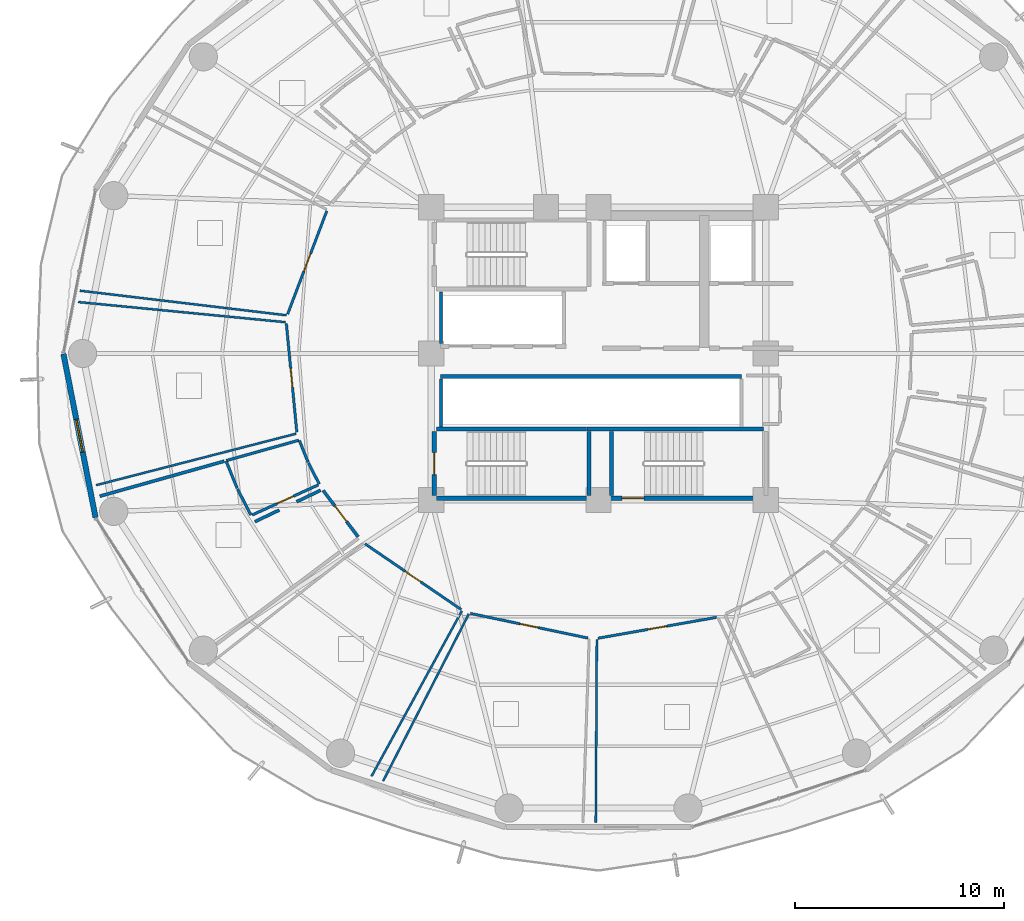
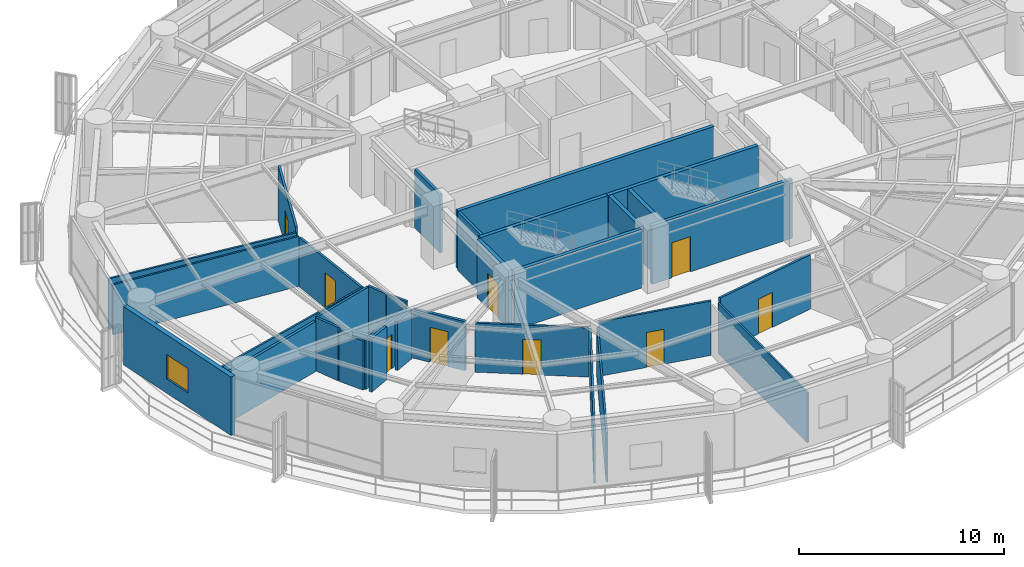
# One storey, part 29 of 38: 32 walls, 9 doors, 1 window, 10 openings.
"""IFC4 building model written with IfcOpenShell, lengths in metres."""

from ifc_helpers import new_model, si_unit, direction, frame, frame_2d, origin, place, context, subcontext, project, spatial, rectangle, extrude, material, layer, layer_set, type_object, element, fill, save


model = new_model("IFC4")

# Units and contexts
model_context = context("Model", 3, precision=1e-05, world=origin(), true_north=direction((0.0, 1.0)))
body_context = subcontext(model_context, "Body", "Model", "MODEL_VIEW")
ifc_project = project(units=[si_unit("LENGTHUNIT", "METRE"), si_unit("AREAUNIT", "SQUARE_METRE"), si_unit("VOLUMEUNIT", "CUBIC_METRE"), si_unit("PLANEANGLEUNIT", "RADIAN"), si_unit("MASSUNIT", "GRAM", prefix="KILO")], contexts=[model_context])

# Site, building, storey
site_placement = place(None, origin())
site = spatial("IfcSite", under=ifc_project, at=site_placement, CompositionType="ELEMENT")
building_placement = place(site_placement, origin())
building = spatial("IfcBuilding", under=site, at=building_placement, Name="Kelanora Arch Commons", CompositionType="ELEMENT")
storey_placement = place(building_placement, frame((0.0, 0.0, 106.35009765625)))
storey = spatial("IfcBuildingStorey", under=building, at=storey_placement, Name="L27", CompositionType="ELEMENT", Elevation=106.35009765625)

# Walls
ifc_material_1 = material(Name="Autoclaved aerated concrete blockwork with fire plaster", Category="masonry")
ifc_layer_1 = layer(ifc_material_1, 0.14990234375)
ifc_layer_set_1 = layer_set([ifc_layer_1], Name="Autoclaved aerated concrete blockwork with fire plaster")
wall_type_1 = type_object("IfcWallType", Name="W-COMP-150", PredefinedType="PARTITIONING", material=ifc_layer_set_1)
wall_1_placement = place(storey_placement, frame((66.4599609375, 58.47998046875, 0.0), z_axis=(0.0, 0.0, 1.0), x_axis=(0.0, 1.0, 0.0)))
element("IfcWall", 1, at=wall_1_placement, inside=storey, type_object=wall_type_1, Name="Low-Rise Lift Bank West Wall L27", PredefinedType="PARTITIONING", context=body_context, shape_type="SweptSolid", body=[
    extrude(rectangle(XDim=2.4599609375, YDim=0.14990234375, at=frame_2d((1.22998046875, 0.0))), origin(), (0.0, 0.0, 1.0), 3.47998046875),
])
wall_2_placement = place(storey_placement, frame((66.4599609375, 54.47998046875, 0.0), z_axis=(0.0, 0.0, 1.0), x_axis=(0.0, 1.0, 0.0)))
element("IfcWall", 2, at=wall_2_placement, inside=storey, type_object=wall_type_1, Name="South Lift Bank West Wall L27", PredefinedType="PARTITIONING", context=body_context, shape_type="SweptSolid", body=[
    extrude(rectangle(XDim=2.2900390625, YDim=0.14990234375, at=frame_2d((1.14501953125, 0.0))), origin(), (0.0, 0.0, 1.0), 3.47998046875),
])

# Wall, opening, door
wall_3_placement = place(storey_placement, frame((60.8271484375, 51.4501953125, 0.0), z_axis=(0.0, 0.0, 1.0), x_axis=(0.602330864847, -0.798246534131, 0.0)))
wall_3 = element("IfcWall", 3, at=wall_3_placement, inside=storey, type_object=wall_type_1, Name="Co-Living Studio L27-09 Entry Partition", PredefinedType="PARTITIONING", context=body_context, shape_type="SweptSolid", body=[
    extrude(rectangle(XDim=2.77880859375, YDim=0.14990234375, at=frame_2d((1.389404296875, 0.0))), origin(), (0.0, 0.0, 1.0), 2.9248046875),
])
opening_1_placement = place(wall_3_placement, frame((0.9140625, 0.0, 0.0)))
opening_1 = element("IfcOpeningElement", 4, at=opening_1_placement, cuts=wall_3, Name="Opening D-CLU1", PredefinedType="OPENING", context=body_context, shape_type="SweptSolid", body=[
    extrude(rectangle(XDim=0.949951171875, YDim=2.080078125, at=frame_2d((0.47509765625, 1.0400390625))), frame((0.0, 0.0849609375, 0.0), z_axis=(0.0, -1.0, 0.0), x_axis=(1.0, 0.0, 0.0)), (0.0, 0.0, 1.0), 0.169921875),
])
ifc_material_2 = material(Name="Solid-core acoustic timber cluster entry fire door", Category="wood")
door_type_1 = type_object("IfcDoorType", Name="D-CLU-95", OperationType="NOTDEFINED", PredefinedType="DOOR", material=ifc_material_2)
door_1_placement = place(opening_1_placement, origin())
door_1 = element("IfcDoor", 5, at=door_1_placement, inside=storey, type_object=door_type_1, Name="Co-Living Studio L27-09 Door", OperationType="SINGLE_SWING_RIGHT", OverallHeight=2.080078125, OverallWidth=0.949951171875, PredefinedType="DOOR", context=body_context, shape_type="SweptSolid", body=[
    extrude(rectangle(XDim=0.949951171875, YDim=2.080078125, at=frame_2d((0.47509765625, 1.0400390625))), frame((0.0, 0.02490234375, 0.0), z_axis=(0.0, -1.0, 0.0), x_axis=(1.0, 0.0, 0.0)), (0.0, 0.0, 1.0), 0.050048828125),
])
fill(opening_1, door_1)

# Walls
wall_4_placement = place(storey_placement, frame((50.1455078125, 51.17578125, 0.0), z_axis=(0.0, 0.0, 1.0), x_axis=(0.962685643461, 0.270622157028, 0.0)))
element("IfcWall", 6, at=wall_4_placement, inside=storey, type_object=wall_type_1, Name="Co-Living Studio L27-09 Enclosure Partition 5", PredefinedType="PARTITIONING", context=body_context, shape_type="SweptSolid", body=[
    extrude(rectangle(XDim=6.18701171875, YDim=0.14990234375, at=frame_2d((3.093505859375, 0.0))), origin(), (0.0, 0.0, 1.0), 2.974853515625),
])
wall_5_placement = place(storey_placement, frame((57.55908203125, 49.953125, 0.0), z_axis=(0.0, 0.0, 1.0), x_axis=(0.902185129063, 0.431349038364, 0.0)))
element("IfcWall", 7, at=wall_5_placement, inside=storey, type_object=wall_type_1, Name="Co-Living Studio L27-09 Enclosure Partition 7", PredefinedType="PARTITIONING", context=body_context, shape_type="SweptSolid", body=[
    extrude(rectangle(XDim=1.29833984375, YDim=0.14990234375, at=frame_2d((0.649169921875, 0.0))), origin(), (0.0, 0.0, 1.0), 3.1748046875),
])
wall_6_placement = place(storey_placement, frame((59.560546875, 50.909912109375, 0.0), z_axis=(0.0, 0.0, 1.0), x_axis=(0.902228812368, 0.431257660955, 0.0)))
element("IfcWall", 8, at=wall_6_placement, inside=storey, type_object=wall_type_1, Name="Co-Living Studio L27-09 Enclosure Partition 7", PredefinedType="PARTITIONING", context=body_context, shape_type="SweptSolid", body=[
    extrude(rectangle(XDim=1.266357421875, YDim=0.14990234375, at=frame_2d((0.63330078125, 0.0))), origin(), (0.0, 0.0, 1.0), 2.9248046875),
])

# Wall, opening, window
ifc_material_3 = material(Name="Precast concrete C40/50 with terracotta rainscreen", Category="masonry")
ifc_layer_2 = layer(ifc_material_3, 0.260009765625)
ifc_layer_set_2 = layer_set([ifc_layer_2], Name="Precast concrete C40/50 with terracotta rainscreen")
wall_type_2 = type_object("IfcWallType", Name="W-EXT-TC", PredefinedType="SOLIDWALL", material=ifc_layer_set_2)
wall_7_placement = place(storey_placement, frame((48.40283203125, 57.9853515625, 0.0), z_axis=(0.0, 0.0, 1.0), x_axis=(0.192581843632, -0.981280914674, 0.0)))
wall_7 = element("IfcWall", 9, at=wall_7_placement, inside=storey, type_object=wall_type_2, Name="Terracotta Exterior Wall L27-B09", PredefinedType="SOLIDWALL", context=body_context, shape_type="SweptSolid", body=[
    extrude(rectangle(XDim=7.986572265625, YDim=0.260009765625, at=frame_2d((3.9931640625, 0.0))), origin(), (0.0, 0.0, 1.0), 3.474853515625),
])
opening_2_placement = place(wall_7_placement, frame((3.193115234375, 0.0, 0.85009765625)))
opening_2 = element("IfcOpeningElement", 10, at=opening_2_placement, cuts=wall_7, Name="Opening WN-01", PredefinedType="OPENING", context=body_context, shape_type="SweptSolid", body=[
    extrude(rectangle(XDim=1.60009765625, YDim=1.449951171875, at=frame_2d((0.800048828125, 0.72509765625))), frame((0.0, 0.14013671875, 0.0), z_axis=(0.0, -1.0, 0.0), x_axis=(1.0, 0.0, 0.0)), (0.0, 0.0, 1.0), 0.280029296875),
])
ifc_material_4 = material(Name="Terracotta-anodised aluminium frame with operable low-E glazing", Category="masonry")
window_type = type_object("IfcWindowType", Name="WIN-CL-18", PartitioningType="DOUBLE_PANEL_VERTICAL", PredefinedType="WINDOW", material=ifc_material_4)
window_placement = place(opening_2_placement, origin())
window = element("IfcWindow", 11, at=window_placement, inside=storey, type_object=window_type, Name="Co-Living Operable Window L27-B09", OverallHeight=1.449951171875, OverallWidth=1.60009765625, PartitioningType="SINGLE_PANEL", PredefinedType="WINDOW", context=body_context, shape_type="SweptSolid", body=[
    extrude(rectangle(XDim=1.60009765625, YDim=1.449951171875, at=frame_2d((0.800048828125, 0.72509765625))), frame((0.0, 0.030029296875, 0.0), z_axis=(0.0, -1.0, 0.0), x_axis=(1.0, 0.0, 0.0)), (0.0, 0.0, 1.0), 0.06005859375),
])
fill(opening_2, window)

# Walls
ifc_material_5 = material(Name="Concrete C40/50", Category="concrete")
ifc_layer_3 = layer(ifc_material_5, 0.199951171875)
ifc_layer_set_3 = layer_set([ifc_layer_3], Name="Concrete C40/50")
wall_type_3 = type_object("IfcWallType", Name="W-FFL-200", PredefinedType="SOLIDWALL", material=ifc_layer_set_3)
wall_8_placement = place(storey_placement, frame((66.449951171875, 56.89990234375, 0.0), z_axis=(0.0, 0.0, 1.0), x_axis=(1.0, 0.0, 0.0)))
element("IfcWall", 12, at=wall_8_placement, inside=storey, type_object=wall_type_3, Name="Mid/High/Express Lift Shaft Front L27", PredefinedType="SOLIDWALL", context=body_context, shape_type="SweptSolid", body=[
    extrude(rectangle(XDim=14.400146484375, YDim=0.199951171875, at=frame_2d((7.2001953125, 0.0))), origin(), (0.0, 0.0, 1.0), 3.47998046875),
])
ifc_material_6 = material(Name="Lightweight fire-rated acoustic stud partition")
ifc_layer_4 = layer(ifc_material_6, 0.10009765625)
ifc_layer_set_4 = layer_set([ifc_layer_4], Name="Lightweight fire-rated acoustic stud partition")
wall_type_4 = type_object("IfcWallType", Name="W-PART-100", PredefinedType="PARTITIONING", material=ifc_layer_set_4)
wall_9_placement = place(storey_placement, frame((59.06640625, 59.830810546875, 0.0), z_axis=(0.0, 0.0, 1.0), x_axis=(-0.99298532521, 0.118237658624, 0.0)))
element("IfcWall", 13, at=wall_9_placement, inside=storey, type_object=wall_type_4, Name="Social Sky Lounge L27-07 Enclosure Partition 2", PredefinedType="PARTITIONING", context=body_context, shape_type="SweptSolid", body=[
    extrude(rectangle(XDim=9.950439453125, YDim=0.10009765625, at=frame_2d((4.97509765625, 0.0))), origin(), (0.0, 0.0, 1.0), 2.974853515625),
])
wall_10_placement = place(storey_placement, frame((59.535400390625, 54.1650390625, 0.0), z_axis=(0.0, 0.0, 1.0), x_axis=(-0.968404670054, -0.249384031201, 0.0)))
element("IfcWall", 14, at=wall_10_placement, inside=storey, type_object=wall_type_4, Name="Quiet Seminar Study Room L27-08 Enclosure Partition 2", PredefinedType="PARTITIONING", context=body_context, shape_type="SweptSolid", body=[
    extrude(rectangle(XDim=9.880859375, YDim=0.10009765625, at=frame_2d((4.9404296875, 0.0))), origin(), (0.0, 0.0, 1.0), 2.974853515625),
])
wall_11_placement = place(storey_placement, frame((49.11083984375, 60.463134765625, 0.0), z_axis=(0.0, 0.0, 1.0), x_axis=(0.995310801703, -0.096728527399, 0.0)))
element("IfcWall", 15, at=wall_11_placement, inside=storey, type_object=wall_type_4, Name="Quiet Seminar Study Room L27-08 Enclosure Partition 4", PredefinedType="PARTITIONING", context=body_context, shape_type="SweptSolid", body=[
    extrude(rectangle(XDim=9.95703125, YDim=0.10009765625, at=frame_2d((4.978515625, 0.0))), origin(), (0.0, 0.0, 1.0), 2.974853515625),
])
wall_12_placement = place(storey_placement, frame((67.462890625, 45.682861328125, 0.0), z_axis=(0.0, 0.0, 1.0), x_axis=(-0.479571724153, -0.87750268455, 0.0)))
element("IfcWall", 16, at=wall_12_placement, inside=storey, type_object=wall_type_4, Name="Communal Dining and Social Hall L27-10 Enclosure Partition 2", PredefinedType="PARTITIONING", context=body_context, shape_type="SweptSolid", body=[
    extrude(rectangle(XDim=9.007080078125, YDim=0.10009765625, at=frame_2d((4.50341796875, 0.0))), origin(), (0.0, 0.0, 1.0), 2.9248046875),
])
wall_13_placement = place(storey_placement, frame((63.697265625, 37.547607421875, 0.0), z_axis=(0.0, 0.0, 1.0), x_axis=(0.456266444918, 0.889843205987, 0.0)))
element("IfcWall", 17, at=wall_13_placement, inside=storey, type_object=wall_type_4, Name="Quiet Seminar Study Room L27-11 Enclosure Partition 4", PredefinedType="PARTITIONING", context=body_context, shape_type="SweptSolid", body=[
    extrude(rectangle(XDim=8.984619140625, YDim=0.10009765625, at=frame_2d((4.4921875, 0.0))), origin(), (0.0, 0.0, 1.0), 2.9248046875),
])
wall_14_placement = place(storey_placement, frame((73.869140625, 35.56005859375, 0.0), z_axis=(0.0, 0.0, 1.0), x_axis=(0.005901573079, 0.999982585566, 0.0)))
element("IfcWall", 18, at=wall_14_placement, inside=storey, type_object=wall_type_4, Name="Quiet Seminar Study Room L27-12 Enclosure Partition 4", PredefinedType="PARTITIONING", context=body_context, shape_type="SweptSolid", body=[
    extrude(rectangle(XDim=8.770263671875, YDim=0.10009765625, at=frame_2d((4.38525390625, 0.0))), origin(), (0.0, 0.0, 1.0), 2.974853515625),
])

# Wall, opening, door
ifc_material_7 = material(Name="Acoustic twin-stud fire-rated gypsum partition")
ifc_layer_5 = layer(ifc_material_7, 0.1201171875)
ifc_layer_set_5 = layer_set([ifc_layer_5], Name="Acoustic twin-stud fire-rated gypsum partition")
wall_type_5 = type_object("IfcWallType", Name="W-PART-120", PredefinedType="PARTITIONING", material=ifc_layer_set_5)
wall_15_placement = place(storey_placement, frame((61.001708984375, 64.82080078125, 0.0), z_axis=(0.0, 0.0, 1.0), x_axis=(-0.354853458438, -0.934921934193, 0.0)))
wall_15 = element("IfcWall", 19, at=wall_15_placement, inside=storey, type_object=wall_type_5, Name="Social Sky Lounge L27-07 Entry Partition", PredefinedType="PARTITIONING", context=body_context, shape_type="SweptSolid", body=[
    extrude(rectangle(XDim=5.282470703125, YDim=0.1201171875, at=frame_2d((2.64111328125, 0.0))), origin(), (0.0, 0.0, 1.0), 3.23486328125),
])
opening_3_placement = place(wall_15_placement, frame((2.19091796875, 0.0, 0.0)))
opening_3 = element("IfcOpeningElement", 20, at=opening_3_placement, cuts=wall_15, Name="Opening D-RM1", PredefinedType="OPENING", context=body_context, shape_type="SweptSolid", body=[
    extrude(rectangle(XDim=0.89990234375, YDim=2.080078125, at=frame_2d((0.449951171875, 1.0400390625))), frame((0.0, 0.070068359375, 0.0), z_axis=(0.0, -1.0, 0.0), x_axis=(1.0, 0.0, 0.0)), (0.0, 0.0, 1.0), 0.14013671875),
])
ifc_material_8 = material(Name="Acoustic fire-rated timber study and lounge door", Category="wood")
door_type_2 = type_object("IfcDoorType", Name="D-ROOM-90", OperationType="NOTDEFINED", PredefinedType="DOOR", material=ifc_material_8)
door_2_placement = place(opening_3_placement, origin())
door_2 = element("IfcDoor", 21, at=door_2_placement, inside=storey, type_object=door_type_2, Name="Social Sky Lounge L27-07 Door", OperationType="SINGLE_SWING_LEFT", OverallHeight=2.080078125, OverallWidth=0.89990234375, PredefinedType="DOOR", context=body_context, shape_type="SweptSolid", body=[
    extrude(rectangle(XDim=0.89990234375, YDim=2.080078125, at=frame_2d((0.449951171875, 1.0400390625))), frame((0.0, 0.02490234375, 0.0), z_axis=(0.0, -1.0, 0.0), x_axis=(1.0, 0.0, 0.0)), (0.0, 0.0, 1.0), 0.050048828125),
])
fill(opening_3, door_2)

wall_16_placement = place(storey_placement, frame((59.06689453125, 59.436279296875, 0.0), z_axis=(0.0, 0.0, 1.0), x_axis=(0.095913591475, -0.995389663886, 0.0)))
wall_16 = element("IfcWall", 22, at=wall_16_placement, inside=storey, type_object=wall_type_5, Name="Quiet Seminar Study Room L27-08 Entry Partition", PredefinedType="PARTITIONING", context=body_context, shape_type="SweptSolid", body=[
    extrude(rectangle(XDim=5.225830078125, YDim=0.1201171875, at=frame_2d((2.61279296875, 0.0))), origin(), (0.0, 0.0, 1.0), 2.9248046875),
])
opening_4_placement = place(wall_16_placement, frame((2.1630859375, 0.0, 0.0)))
opening_4 = element("IfcOpeningElement", 23, at=opening_4_placement, cuts=wall_16, Name="Opening D-RM1", PredefinedType="OPENING", context=body_context, shape_type="SweptSolid", body=[
    extrude(rectangle(XDim=0.89990234375, YDim=2.080078125, at=frame_2d((0.449951171875, 1.0400390625))), frame((0.0, 0.070068359375, 0.0), z_axis=(0.0, -1.0, 0.0), x_axis=(1.0, 0.0, 0.0)), (0.0, 0.0, 1.0), 0.14013671875),
])
door_3_placement = place(opening_4_placement, origin())
door_3 = element("IfcDoor", 24, at=door_3_placement, inside=storey, type_object=door_type_2, Name="Quiet Seminar Study Room L27-08 Door", OperationType="SINGLE_SWING_RIGHT", OverallHeight=2.080078125, OverallWidth=0.89990234375, PredefinedType="DOOR", context=body_context, shape_type="SweptSolid", body=[
    extrude(rectangle(XDim=0.89990234375, YDim=2.080078125, at=frame_2d((0.449951171875, 1.0400390625))), frame((0.0, 0.02490234375, 0.0), z_axis=(0.0, -1.0, 0.0), x_axis=(1.0, 0.0, 0.0)), (0.0, 0.0, 1.0), 0.050048828125),
])
fill(opening_4, door_3)

wall_17_placement = place(storey_placement, frame((62.827392578125, 48.899169921875, 0.0), z_axis=(0.0, 0.0, 1.0), x_axis=(0.825618475233, -0.564228795219, 0.0)))
wall_17 = element("IfcWall", 25, at=wall_17_placement, inside=storey, type_object=wall_type_5, Name="Communal Dining and Social Hall L27-10 Entry Partition", PredefinedType="PARTITIONING", context=body_context, shape_type="SweptSolid", body=[
    extrude(rectangle(XDim=5.577880859375, YDim=0.1201171875, at=frame_2d((2.7890625, 0.0))), origin(), (0.0, 0.0, 1.0), 2.9248046875),
])
opening_5_placement = place(wall_17_placement, frame((2.339111328125, 0.0, 0.0)))
opening_5 = element("IfcOpeningElement", 26, at=opening_5_placement, cuts=wall_17, Name="Opening D-RM1", PredefinedType="OPENING", context=body_context, shape_type="SweptSolid", body=[
    extrude(rectangle(XDim=0.89990234375, YDim=2.080078125, at=frame_2d((0.449951171875, 1.0400390625))), frame((0.0, 0.070068359375, 0.0), z_axis=(0.0, -1.0, 0.0), x_axis=(1.0, 0.0, 0.0)), (0.0, 0.0, 1.0), 0.14013671875),
])
door_4_placement = place(opening_5_placement, origin())
door_4 = element("IfcDoor", 27, at=door_4_placement, inside=storey, type_object=door_type_2, Name="Communal Dining and Social Hall L27-10 Door", OperationType="SINGLE_SWING_LEFT", OverallHeight=2.080078125, OverallWidth=0.89990234375, PredefinedType="DOOR", context=body_context, shape_type="SweptSolid", body=[
    extrude(rectangle(XDim=0.89990234375, YDim=2.080078125, at=frame_2d((0.449951171875, 1.0400390625))), frame((0.0, 0.02490234375, 0.0), z_axis=(0.0, -1.0, 0.0), x_axis=(1.0, 0.0, 0.0)), (0.0, 0.0, 1.0), 0.050048828125),
])
fill(opening_5, door_4)

wall_18_placement = place(storey_placement, frame((67.873779296875, 45.565673828125, 0.0), z_axis=(0.0, 0.0, 1.0), x_axis=(0.978759890472, -0.205009943184, 0.0)))
wall_18 = element("IfcWall", 28, at=wall_18_placement, inside=storey, type_object=wall_type_5, Name="Quiet Seminar Study Room L27-11 Entry Partition", PredefinedType="PARTITIONING", context=body_context, shape_type="SweptSolid", body=[
    extrude(rectangle(XDim=5.74365234375, YDim=0.1201171875, at=frame_2d((2.871826171875, 0.0))), origin(), (0.0, 0.0, 1.0), 3.23486328125),
])
opening_6_placement = place(wall_18_placement, frame((2.422119140625, 0.0, 0.0)))
opening_6 = element("IfcOpeningElement", 29, at=opening_6_placement, cuts=wall_18, Name="Opening D-RM1", PredefinedType="OPENING", context=body_context, shape_type="SweptSolid", body=[
    extrude(rectangle(XDim=0.89990234375, YDim=2.080078125, at=frame_2d((0.449951171875, 1.0400390625))), frame((0.0, 0.070068359375, 0.0), z_axis=(0.0, -1.0, 0.0), x_axis=(1.0, 0.0, 0.0)), (0.0, 0.0, 1.0), 0.14013671875),
])
door_5_placement = place(opening_6_placement, origin())
door_5 = element("IfcDoor", 30, at=door_5_placement, inside=storey, type_object=door_type_2, Name="Quiet Seminar Study Room L27-11 Door", OperationType="SINGLE_SWING_RIGHT", OverallHeight=2.080078125, OverallWidth=0.89990234375, PredefinedType="DOOR", context=body_context, shape_type="SweptSolid", body=[
    extrude(rectangle(XDim=0.89990234375, YDim=2.080078125, at=frame_2d((0.449951171875, 1.0400390625))), frame((0.0, 0.02490234375, 0.0), z_axis=(0.0, -1.0, 0.0), x_axis=(1.0, 0.0, 0.0)), (0.0, 0.0, 1.0), 0.050048828125),
])
fill(opening_6, door_5)

wall_19_placement = place(storey_placement, frame((73.97998046875, 44.38037109375, 0.0), z_axis=(0.0, 0.0, 1.0), x_axis=(0.984819435921, 0.17358190756, 0.0)))
wall_19 = element("IfcWall", 31, at=wall_19_placement, inside=storey, type_object=wall_type_5, Name="Quiet Seminar Study Room L27-12 Entry Partition", PredefinedType="PARTITIONING", context=body_context, shape_type="SweptSolid", body=[
    extrude(rectangle(XDim=5.751220703125, YDim=0.1201171875, at=frame_2d((2.87548828125, 0.0))), origin(), (0.0, 0.0, 1.0), 3.23486328125),
])
opening_7_placement = place(wall_19_placement, frame((2.426025390625, 0.0, 0.0)))
opening_7 = element("IfcOpeningElement", 32, at=opening_7_placement, cuts=wall_19, Name="Opening D-RM1", PredefinedType="OPENING", context=body_context, shape_type="SweptSolid", body=[
    extrude(rectangle(XDim=0.89990234375, YDim=2.080078125, at=frame_2d((0.449951171875, 1.0400390625))), frame((0.0, 0.070068359375, 0.0), z_axis=(0.0, -1.0, 0.0), x_axis=(1.0, 0.0, 0.0)), (0.0, 0.0, 1.0), 0.14013671875),
])
door_6_placement = place(opening_7_placement, origin())
door_6 = element("IfcDoor", 33, at=door_6_placement, inside=storey, type_object=door_type_2, Name="Quiet Seminar Study Room L27-12 Door", OperationType="SINGLE_SWING_LEFT", OverallHeight=2.080078125, OverallWidth=0.89990234375, PredefinedType="DOOR", context=body_context, shape_type="SweptSolid", body=[
    extrude(rectangle(XDim=0.89990234375, YDim=2.080078125, at=frame_2d((0.449951171875, 1.0400390625))), frame((0.0, 0.02490234375, 0.0), z_axis=(0.0, -1.0, 0.0), x_axis=(1.0, 0.0, 0.0)), (0.0, 0.0, 1.0), 0.050048828125),
])
fill(opening_7, door_6)

ifc_layer_6 = layer(ifc_material_5, 0.199951171875)
ifc_layer_set_6 = layer_set([ifc_layer_6], Name="Concrete C40/50")
wall_type_6 = type_object("IfcWallType", Name="W-STAIR-200", PredefinedType="SHEAR", material=ifc_layer_set_6)
wall_20_placement = place(storey_placement, frame((74.0, 51.080078125, 0.0), z_axis=(0.0, 0.0, 1.0), x_axis=(1.0, 0.0, 0.0)))
wall_20 = element("IfcWall", 34, at=wall_20_placement, inside=storey, type_object=wall_type_6, Name="Stair ST-T2 Shaft Wall S L27", PredefinedType="SHEAR", context=body_context, shape_type="SweptSolid", body=[
    extrude(rectangle(XDim=7.89990234375, YDim=0.199951171875, at=frame_2d((3.949951171875, 0.0))), origin(), (0.0, 0.0, 1.0), 3.489990234375),
])
opening_8_placement = place(wall_20_placement, frame((1.1201171875, 0.0, 0.0)))
opening_8 = element("IfcOpeningElement", 35, at=opening_8_placement, cuts=wall_20, Name="Opening D-ST1", PredefinedType="OPENING", context=body_context, shape_type="SweptSolid", body=[
    extrude(rectangle(XDim=1.050048828125, YDim=2.10009765625, at=frame_2d((0.52490234375, 1.050048828125))), frame((0.0, 0.10986328125, 0.0), z_axis=(0.0, -1.0, 0.0), x_axis=(1.0, 0.0, 0.0)), (0.0, 0.0, 1.0), 0.219970703125),
])
ifc_material_9 = material(Name="Steel fire-rated stairwell escape door", Category="steel")
door_type_3 = type_object("IfcDoorType", Name="D-STAIR-110", OperationType="NOTDEFINED", PredefinedType="DOOR", material=ifc_material_9)
door_7_placement = place(opening_8_placement, origin())
door_7 = element("IfcDoor", 36, at=door_7_placement, inside=storey, type_object=door_type_3, Name="Stair ST-T2 Escape Door L27", OperationType="SINGLE_SWING_LEFT", OverallHeight=2.10009765625, OverallWidth=1.050048828125, PredefinedType="DOOR", context=body_context, shape_type="SweptSolid", body=[
    extrude(rectangle(XDim=1.050048828125, YDim=2.10009765625, at=frame_2d((0.52490234375, 1.050048828125))), frame((0.0, 0.02490234375, 0.0), z_axis=(0.0, -1.0, 0.0), x_axis=(1.0, 0.0, 0.0)), (0.0, 0.0, 1.0), 0.050048828125),
])
fill(opening_8, door_7)

# Walls
wall_21_placement = place(storey_placement, frame((81.89990234375, 54.389892578125, 0.0), z_axis=(0.0, 0.0, 1.0), x_axis=(-1.0, 0.0, 0.0)))
element("IfcWall", 37, at=wall_21_placement, inside=storey, type_object=wall_type_6, Name="Stair ST-T2 Shaft Wall N L27", PredefinedType="SHEAR", context=body_context, shape_type="SweptSolid", body=[
    extrude(rectangle(XDim=8.4599609375, YDim=0.199951171875, at=frame_2d((4.22998046875, 0.0))), origin(), (0.0, 0.0, 1.0), 3.489990234375),
])
wall_22_placement = place(storey_placement, frame((74.6201171875, 54.27001953125, 0.0), z_axis=(0.0, 0.0, 1.0), x_axis=(0.0, -1.0, 0.0)))
element("IfcWall", 38, at=wall_22_placement, inside=storey, type_object=wall_type_6, Name="Stair ST-T2 Shaft Wall W L27", PredefinedType="SHEAR", context=body_context, shape_type="SweptSolid", body=[
    extrude(rectangle(XDim=3.070068359375, YDim=0.199951171875, at=frame_2d((1.53515625, 0.0))), origin(), (0.0, 0.0, 1.0), 3.489990234375),
])
wall_23_placement = place(storey_placement, frame((66.260009765625, 51.080078125, 0.0), z_axis=(0.0, 0.0, 1.0), x_axis=(1.0, 0.0, 0.0)))
element("IfcWall", 39, at=wall_23_placement, inside=storey, type_object=wall_type_6, Name="Stair ST-T3 Shaft Wall S L27", PredefinedType="SHEAR", context=body_context, shape_type="SweptSolid", body=[
    extrude(rectangle(XDim=7.159912109375, YDim=0.199951171875, at=frame_2d((3.580078125, 0.0))), origin(), (0.0, 0.0, 1.0), 3.489990234375),
])
wall_24_placement = place(storey_placement, frame((73.5400390625, 51.199951171875, 0.0), z_axis=(0.0, 0.0, 1.0), x_axis=(0.0, 1.0, 0.0)))
element("IfcWall", 40, at=wall_24_placement, inside=storey, type_object=wall_type_6, Name="Stair ST-T3 Shaft Wall E L27", PredefinedType="SHEAR", context=body_context, shape_type="SweptSolid", body=[
    extrude(rectangle(XDim=3.070068359375, YDim=0.199951171875, at=frame_2d((1.53515625, 0.0))), origin(), (0.0, 0.0, 1.0), 3.489990234375),
])
wall_25_placement = place(storey_placement, frame((73.419921875, 54.389892578125, 0.0), z_axis=(0.0, 0.0, 1.0), x_axis=(-1.0, 0.0, 0.0)))
element("IfcWall", 41, at=wall_25_placement, inside=storey, type_object=wall_type_6, Name="Stair ST-T3 Shaft Wall N L27", PredefinedType="SHEAR", context=body_context, shape_type="SweptSolid", body=[
    extrude(rectangle(XDim=7.159912109375, YDim=0.199951171875, at=frame_2d((3.580078125, 0.0))), origin(), (0.0, 0.0, 1.0), 3.489990234375),
])

# Wall, opening, door
wall_26_placement = place(storey_placement, frame((66.139892578125, 54.27001953125, 0.0), z_axis=(0.0, 0.0, 1.0), x_axis=(0.0, -1.0, 0.0)))
wall_26 = element("IfcWall", 42, at=wall_26_placement, inside=storey, type_object=wall_type_6, Name="Stair ST-T3 Shaft Wall W L27", PredefinedType="SHEAR", context=body_context, shape_type="SweptSolid", body=[
    extrude(rectangle(XDim=3.070068359375, YDim=0.199951171875, at=frame_2d((1.53515625, 0.0))), origin(), (0.0, 0.0, 1.0), 3.489990234375),
])
opening_9_placement = place(wall_26_placement, frame((1.010009765625, 0.0, 0.0)))
opening_9 = element("IfcOpeningElement", 43, at=opening_9_placement, cuts=wall_26, Name="Opening D-ST1", PredefinedType="OPENING", context=body_context, shape_type="SweptSolid", body=[
    extrude(rectangle(XDim=1.050048828125, YDim=2.10009765625, at=frame_2d((0.52490234375, 1.050048828125))), frame((0.0, 0.10986328125, 0.0), z_axis=(0.0, -1.0, 0.0), x_axis=(1.0, 0.0, 0.0)), (0.0, 0.0, 1.0), 0.219970703125),
])
door_8_placement = place(opening_9_placement, origin())
door_8 = element("IfcDoor", 44, at=door_8_placement, inside=storey, type_object=door_type_3, Name="Stair ST-T3 Escape Door L27", OperationType="SINGLE_SWING_LEFT", OverallHeight=2.10009765625, OverallWidth=1.050048828125, PredefinedType="DOOR", context=body_context, shape_type="SweptSolid", body=[
    extrude(rectangle(XDim=1.050048828125, YDim=2.10009765625, at=frame_2d((0.52490234375, 1.050048828125))), frame((0.0, 0.02490234375, 0.0), z_axis=(0.0, -1.0, 0.0), x_axis=(1.0, 0.0, 0.0)), (0.0, 0.0, 1.0), 0.050048828125),
])
fill(opening_9, door_8)

ifc_material_10 = material(Name="Moisture-resistant fire-rated cement-board plumbing wall")
ifc_layer_7 = layer(ifc_material_10, 0.1298828125)
ifc_layer_set_7 = layer_set([ifc_layer_7], Name="Moisture-resistant fire-rated cement-board plumbing wall")
wall_type_7 = type_object("IfcWallType", Name="W-WET-120", PredefinedType="PLUMBINGWALL", material=ifc_layer_set_7)
wall_27_placement = place(storey_placement, frame((60.594482421875, 51.714111328125, 0.0), z_axis=(0.0, 0.0, 1.0), x_axis=(-0.910380938799, -0.413771127885, 0.0)))
wall_27 = element("IfcWall", 45, at=wall_27_placement, inside=storey, type_object=wall_type_7, Name="En-Suite Shower WC L27-09 Entry Partition", PredefinedType="PLUMBINGWALL", context=body_context, shape_type="SweptSolid", body=[
    extrude(rectangle(XDim=3.46875, YDim=0.1298828125, at=frame_2d((1.734375, 0.0))), origin(), (0.0, 0.0, 1.0), 2.9248046875),
])
opening_10_placement = place(wall_27_placement, frame((1.303955078125, 0.0, 0.0)))
opening_10 = element("IfcOpeningElement", 46, at=opening_10_placement, cuts=wall_27, Name="Opening D-BT1", PredefinedType="OPENING", context=body_context, shape_type="SweptSolid", body=[
    extrude(rectangle(XDim=0.860107421875, YDim=2.050048828125, at=frame_2d((0.43017578125, 1.02490234375))), frame((0.0, 0.074951171875, 0.0), z_axis=(0.0, -1.0, 0.0), x_axis=(1.0, 0.0, 0.0)), (0.0, 0.0, 1.0), 0.14990234375),
])
ifc_material_11 = material(Name="Moisture-sealed fire-rated accessible bathroom door")
door_type_4 = type_object("IfcDoorType", Name="D-BATH-85", OperationType="NOTDEFINED", PredefinedType="DOOR", material=ifc_material_11)
door_9_placement = place(opening_10_placement, origin())
door_9 = element("IfcDoor", 47, at=door_9_placement, inside=storey, type_object=door_type_4, Name="En-Suite Shower WC L27-09 Door", OperationType="SINGLE_SWING_LEFT", OverallHeight=2.050048828125, OverallWidth=0.860107421875, PredefinedType="DOOR", context=body_context, shape_type="SweptSolid", body=[
    extrude(rectangle(XDim=0.860107421875, YDim=2.050048828125, at=frame_2d((0.43017578125, 1.02490234375))), frame((0.0, 0.02490234375, 0.0), z_axis=(0.0, -1.0, 0.0), x_axis=(1.0, 0.0, 0.0)), (0.0, 0.0, 1.0), 0.050048828125),
])
fill(opening_10, door_9)

# Walls
wall_28_placement = place(storey_placement, frame((59.6884765625, 53.83740234375, 0.0), z_axis=(0.0, 0.0, 1.0), x_axis=(0.374466649307, -0.927240383372, 0.0)))
element("IfcWall", 48, at=wall_28_placement, inside=storey, type_object=wall_type_7, Name="En-Suite Shower WC L27-09 Enclosure Partition 1", PredefinedType="PLUMBINGWALL", context=body_context, shape_type="SweptSolid", body=[
    extrude(rectangle(XDim=1.121337890625, YDim=0.1298828125, at=frame_2d((0.560546875, 0.0))), origin(), (0.0, 0.0, 1.0), 3.23486328125),
])
wall_29_placement = place(storey_placement, frame((60.125, 52.76123046875, 0.0), z_axis=(0.0, 0.0, 1.0), x_axis=(0.456189291516, -0.889882762113, 0.0)))
element("IfcWall", 49, at=wall_29_placement, inside=storey, type_object=wall_type_7, Name="En-Suite Shower WC L27-09 Enclosure Partition 2", PredefinedType="PLUMBINGWALL", context=body_context, shape_type="SweptSolid", body=[
    extrude(rectangle(XDim=1.128662109375, YDim=0.1298828125, at=frame_2d((0.564453125, 0.0))), origin(), (0.0, 0.0, 1.0), 3.23486328125),
])
wall_30_placement = place(storey_placement, frame((57.372802734375, 50.271728515625, 0.0), z_axis=(0.0, 0.0, 1.0), x_axis=(-0.458147751042, 0.888876053348, 0.0)))
element("IfcWall", 50, at=wall_30_placement, inside=storey, type_object=wall_type_7, Name="En-Suite Shower WC L27-09 Enclosure Partition 4", PredefinedType="PLUMBINGWALL", context=body_context, shape_type="SweptSolid", body=[
    extrude(rectangle(XDim=1.40673828125, YDim=0.1298828125, at=frame_2d((0.703369140625, 0.0))), origin(), (0.0, 0.0, 1.0), 2.9248046875),
])
wall_31_placement = place(storey_placement, frame((56.71142578125, 51.55859375, 0.0), z_axis=(0.0, 0.0, 1.0), x_axis=(-0.376021150564, 0.926611080405, 0.0)))
element("IfcWall", 51, at=wall_31_placement, inside=storey, type_object=wall_type_7, Name="En-Suite Shower WC L27-09 Enclosure Partition 5", PredefinedType="PLUMBINGWALL", context=body_context, shape_type="SweptSolid", body=[
    extrude(rectangle(XDim=1.3984375, YDim=0.1298828125, at=frame_2d((0.69921875, 0.0))), origin(), (0.0, 0.0, 1.0), 3.1748046875),
])
wall_32_placement = place(storey_placement, frame((56.197265625, 52.87841796875, 0.0), z_axis=(0.0, 0.0, 1.0), x_axis=(0.962808829557, 0.270183563023, 0.0)))
element("IfcWall", 52, at=wall_32_placement, inside=storey, type_object=wall_type_7, Name="En-Suite Shower WC L27-09 Enclosure Partition 6", PredefinedType="PLUMBINGWALL", context=body_context, shape_type="SweptSolid", body=[
    extrude(rectangle(XDim=3.59814453125, YDim=0.1298828125, at=frame_2d((1.799072265625, 0.0))), origin(), (0.0, 0.0, 1.0), 3.1748046875),
])

save(model, "model.ifc")
